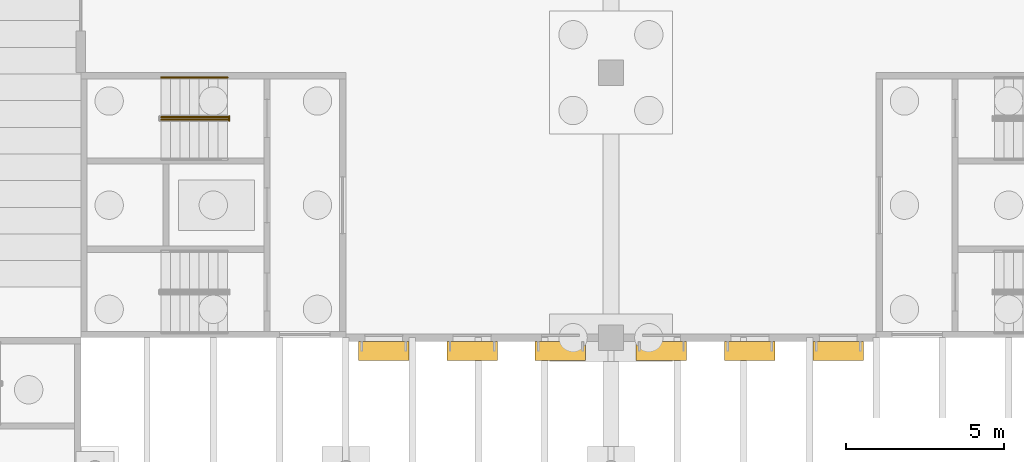
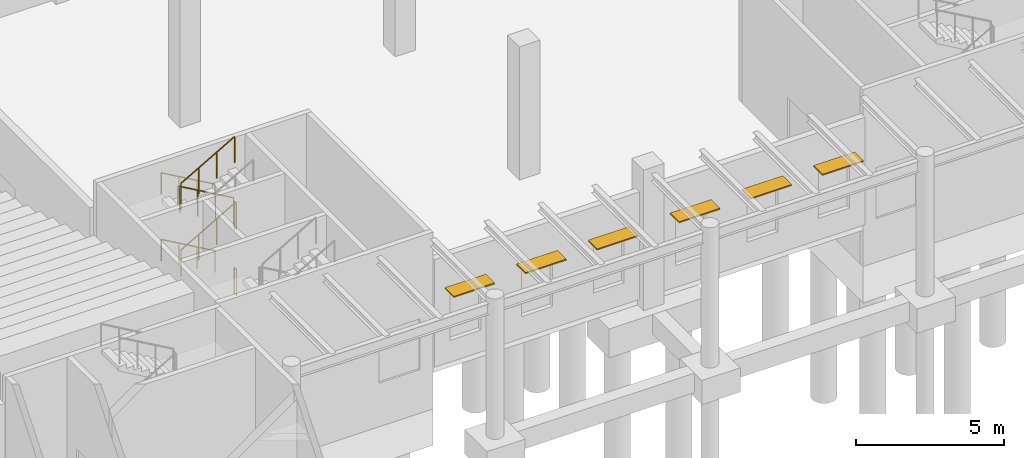
# One storey, part 65 of 82: 7 railings, 6 shading devices.
"""IFC4 building model written with IfcOpenShell, lengths in metres."""

from ifc_helpers import new_model, si_unit, direction, frame, origin, origin_2d, place, context, subcontext, project, spatial, rectangle, circle, extrude, material, material_profile, profile_set, type_object, element, save


model = new_model("IFC4")

# Units and contexts
model_context = context("Model", 3, precision=1e-05, world=origin(), true_north=direction((0.0, 1.0)))
body_context = subcontext(model_context, "Body", "Model", "MODEL_VIEW")
ifc_project = project(units=[si_unit("LENGTHUNIT", "METRE"), si_unit("AREAUNIT", "SQUARE_METRE"), si_unit("VOLUMEUNIT", "CUBIC_METRE"), si_unit("PLANEANGLEUNIT", "RADIAN"), si_unit("MASSUNIT", "GRAM", prefix="KILO")], contexts=[model_context])

# Site, building, storey
site_placement = place(None, origin())
site = spatial("IfcSite", under=ifc_project, at=site_placement, CompositionType="ELEMENT")
building_placement = place(site_placement, origin())
building = spatial("IfcBuilding", under=site, at=building_placement, Name="Almond Square Museum", CompositionType="ELEMENT")
storey_placement = place(building_placement, origin())
storey = spatial("IfcBuildingStorey", under=building, at=storey_placement, Name="L00", CompositionType="ELEMENT", Elevation=0.0)

# Railings
ifc_material_1 = material(Name="Stainless steel and laminated glass", Category="steel")
railing_type_1 = type_object("IfcRailingType", Name="Stair guard 1100 steel and glass", PredefinedType="GUARDRAIL", material=ifc_material_1)
railing_1_placement = place(storey_placement, frame((42.14990234375, 90.909912109375, 1.546875)))
element("IfcRailing", 1, at=railing_1_placement, inside=storey, type_object=railing_type_1, Name="L00 ST-18 stair guard 3", PredefinedType="GUARDRAIL", context=body_context, shape_type="SweptSolid", body=[
    extrude(circle(Radius=0.02392578125, at=origin_2d()), frame((0.0, 0.0, 1.076171875), z_axis=(0.867696358075, 0.0, 0.497094588769), x_axis=(0.0, 1.0, 0.0)), (0.0, 0.0, 1.0), 2.42041015625),
    extrude(circle(Radius=0.02099609375, at=origin_2d()), origin(), (0.0, 0.0, 1.0), 1.052001953125),
    extrude(circle(Radius=0.02099609375, at=origin_2d()), frame((0.699951171875, 0.0, 0.401123046875)), (0.0, 0.0, 1.0), 1.052001953125),
    extrude(circle(Radius=0.02099609375, at=origin_2d()), frame((1.400146484375, 0.0, 0.802001953125)), (0.0, 0.0, 1.0), 1.052001953125),
    extrude(circle(Radius=0.02099609375, at=origin_2d()), frame((2.10009765625, 0.0, 1.203125)), (0.0, 0.0, 1.0), 1.052001953125),
])
railing_2_placement = place(storey_placement, frame((44.300048828125, 91.02001953125, 2.75)))
element("IfcRailing", 2, at=railing_2_placement, inside=storey, type_object=railing_type_1, Name="L00 ST-18 stair guard 4", PredefinedType="GUARDRAIL", context=body_context, shape_type="SweptSolid", body=[
    extrude(circle(Radius=0.02392578125, at=origin_2d()), frame((0.0, 0.0, 1.076171875), z_axis=(0.0, -1.0, 0.0), x_axis=(1.0, 0.0, 0.0)), (0.0, 0.0, 1.0), 0.14013671875),
    extrude(circle(Radius=0.02099609375, at=origin_2d()), origin(), (0.0, 0.0, 1.0), 1.052001953125),
    extrude(circle(Radius=0.02099609375, at=origin_2d()), frame((0.0, -0.14013671875, 0.0)), (0.0, 0.0, 1.0), 1.052001953125),
])
railing_3_placement = place(storey_placement, frame((44.25, 90.989990234375, 2.921875)))
element("IfcRailing", 3, at=railing_3_placement, inside=storey, type_object=railing_type_1, Name="L00 ST-18 stair guard 5", PredefinedType="GUARDRAIL", context=body_context, shape_type="SweptSolid", body=[
    extrude(circle(Radius=0.02392578125, at=origin_2d()), frame((0.0, 0.0, 1.076171875), z_axis=(-0.867696358075, 0.0, 0.497094588769), x_axis=(0.0, -1.0, 0.0)), (0.0, 0.0, 1.0), 2.42041015625),
    extrude(circle(Radius=0.02099609375, at=origin_2d()), origin(), (0.0, 0.0, 1.0), 1.052001953125),
    extrude(circle(Radius=0.02099609375, at=origin_2d()), frame((-0.699951171875, 0.0, 0.401123046875)), (0.0, 0.0, 1.0), 1.052001953125),
    extrude(circle(Radius=0.02099609375, at=origin_2d()), frame((-1.400146484375, 0.0, 0.802001953125)), (0.0, 0.0, 1.0), 1.052001953125),
    extrude(circle(Radius=0.02099609375, at=origin_2d()), frame((-2.10009765625, 0.0, 1.203125)), (0.0, 0.0, 1.0), 1.052001953125),
])
railing_4_placement = place(storey_placement, frame((42.14990234375, 90.909912109375, 4.296875)))
element("IfcRailing", 4, at=railing_4_placement, inside=storey, type_object=railing_type_1, Name="L00 ST-18 stair guard 7", PredefinedType="GUARDRAIL", context=body_context, shape_type="SweptSolid", body=[
    extrude(circle(Radius=0.02392578125, at=origin_2d()), frame((0.0, 0.0, 1.076171875), z_axis=(0.867696358075, 0.0, 0.497094588769), x_axis=(0.0, 1.0, 0.0)), (0.0, 0.0, 1.0), 2.42041015625),
    extrude(circle(Radius=0.02099609375, at=origin_2d()), origin(), (0.0, 0.0, 1.0), 1.052001953125),
    extrude(circle(Radius=0.02099609375, at=origin_2d()), frame((0.699951171875, 0.0, 0.401123046875)), (0.0, 0.0, 1.0), 1.052001953125),
    extrude(circle(Radius=0.02099609375, at=origin_2d()), frame((1.400146484375, 0.0, 0.802001953125)), (0.0, 0.0, 1.0), 1.052001953125),
    extrude(circle(Radius=0.02099609375, at=origin_2d()), frame((2.10009765625, 0.0, 1.203125)), (0.0, 0.0, 1.0), 1.052001953125),
])
railing_5_placement = place(storey_placement, frame((44.300048828125, 91.02001953125, 0.0)))
element("IfcRailing", 5, at=railing_5_placement, inside=storey, type_object=railing_type_1, Name="L00 ST-18 stair guard 8", PredefinedType="GUARDRAIL", context=body_context, shape_type="SweptSolid", body=[
    extrude(circle(Radius=0.02392578125, at=origin_2d()), frame((0.0, 0.0, 1.076171875), z_axis=(0.0, -1.0, 0.0), x_axis=(1.0, 0.0, 0.0)), (0.0, 0.0, 1.0), 0.14013671875),
    extrude(circle(Radius=0.02099609375, at=origin_2d()), origin(), (0.0, 0.0, 1.0), 1.052001953125),
    extrude(circle(Radius=0.02099609375, at=origin_2d()), frame((0.0, -0.14013671875, 0.0)), (0.0, 0.0, 1.0), 1.052001953125),
])
ifc_material_2 = material(Name="Stainless steel", Category="steel")
railing_type_2 = type_object("IfcRailingType", Name="Stair handrail 900 steel", PredefinedType="HANDRAIL", material=ifc_material_2)
for number, where, name in (
    (6, (44.25, 92.2451171875, 0.171875), "L00 ST-18 stair handrail 1"),
    (7, (44.25, 92.2451171875, 2.921875), "L00 ST-18 stair handrail 3"),
):
    element("IfcRailing", number, at=place(storey_placement, frame(where)), inside=storey, type_object=railing_type_2, Name=name, PredefinedType="HANDRAIL", context=body_context, shape_type="SweptSolid", body=[
        extrude(circle(Radius=0.02392578125, at=origin_2d()), frame((0.0, 0.0, 0.8759765625), z_axis=(-0.867696358075, 0.0, 0.497094588769), x_axis=(0.0, -1.0, 0.0)), (0.0, 0.0, 1.0), 2.42041015625),
        extrude(circle(Radius=0.02099609375, at=origin_2d()), origin(), (0.0, 0.0, 1.0), 0.851806640625),
        extrude(circle(Radius=0.02099609375, at=origin_2d()), frame((-0.699951171875, 0.0, 0.401123046875)), (0.0, 0.0, 1.0), 0.851806640625),
        extrude(circle(Radius=0.02099609375, at=origin_2d()), frame((-1.400146484375, 0.0, 0.802001953125)), (0.0, 0.0, 1.0), 0.851806640625),
        extrude(circle(Radius=0.02099609375, at=origin_2d()), frame((-2.10009765625, 0.0, 1.203125)), (0.0, 0.0, 1.0), 0.851806640625),
    ])

# Shading devices
ifc_material_3 = material(Name="Anodised aluminium", Category="aluminium")
ifc_material_profile = material_profile(ifc_material_3, rectangle(XDim=0.60009765625, YDim=0.050048828125, at=origin_2d()))
ifc_profile_set = profile_set([ifc_material_profile], Name="Anodised aluminium")
shading_device_type = type_object("IfcShadingDeviceType", Name="Sun-shade blade 600 x 50", PredefinedType="USERDEFINED", material=ifc_profile_set)
for number, where, z_axis, x_axis, name in (
    (8, (48.39990234375, 83.576904296875, 3.1201171875), (1.0, 0.0, 0.0), (0.0, 1.0, 0.0), "Sun-shade blade"),
    (9, (51.199951171875, 83.576904296875, 3.1201171875), (1.0, 0.0, 0.0), (0.0, 1.0, 0.0), "Sun-shade blade"),
    (10, (54.0, 83.576904296875, 3.1201171875), (1.0, 0.0, 0.0), (0.0, 1.0, 0.0), "Sun-shade blade"),
    (11, (57.199951171875, 83.576904296875, 3.1201171875), (1.0, 0.0, 0.0), (0.0, 1.0, 0.0), "Sun-shade blade"),
    (12, (60.0, 83.576904296875, 3.1201171875), (1.0, 0.0, 0.0), (0.0, 1.0, 0.0), "Sun-shade blade"),
):
    element("IfcShadingDevice", number, at=place(storey_placement, frame(where, z_axis=z_axis, x_axis=x_axis)), inside=storey, type_object=shading_device_type, Name=name, ObjectType="LOUVRE", PredefinedType="USERDEFINED", context=body_context, shape_type="SweptSolid", body=[
        extrude(rectangle(XDim=0.60009765625, YDim=0.050048828125, at=origin_2d()), origin(), (0.0, 0.0, 1.0), 1.60009765625),
    ])
shading_device_placement = place(storey_placement, frame((62.800048828125, 83.576904296875, 3.1201171875), z_axis=(1.0, 0.0, 0.0), x_axis=(0.0, 1.0, 0.0)))
element("IfcShadingDevice", 13, at=shading_device_placement, inside=storey, type_object=shading_device_type, Name="Sun-shade blade", ObjectType="LOUVRE", PredefinedType="USERDEFINED", context=body_context, shape_type="SweptSolid", body=[
    extrude(rectangle(XDim=0.60009765625, YDim=0.050048828125, at=origin_2d()), origin(), (0.0, 0.0, 1.0), 1.599853515625),
])

save(model, "model.ifc")
